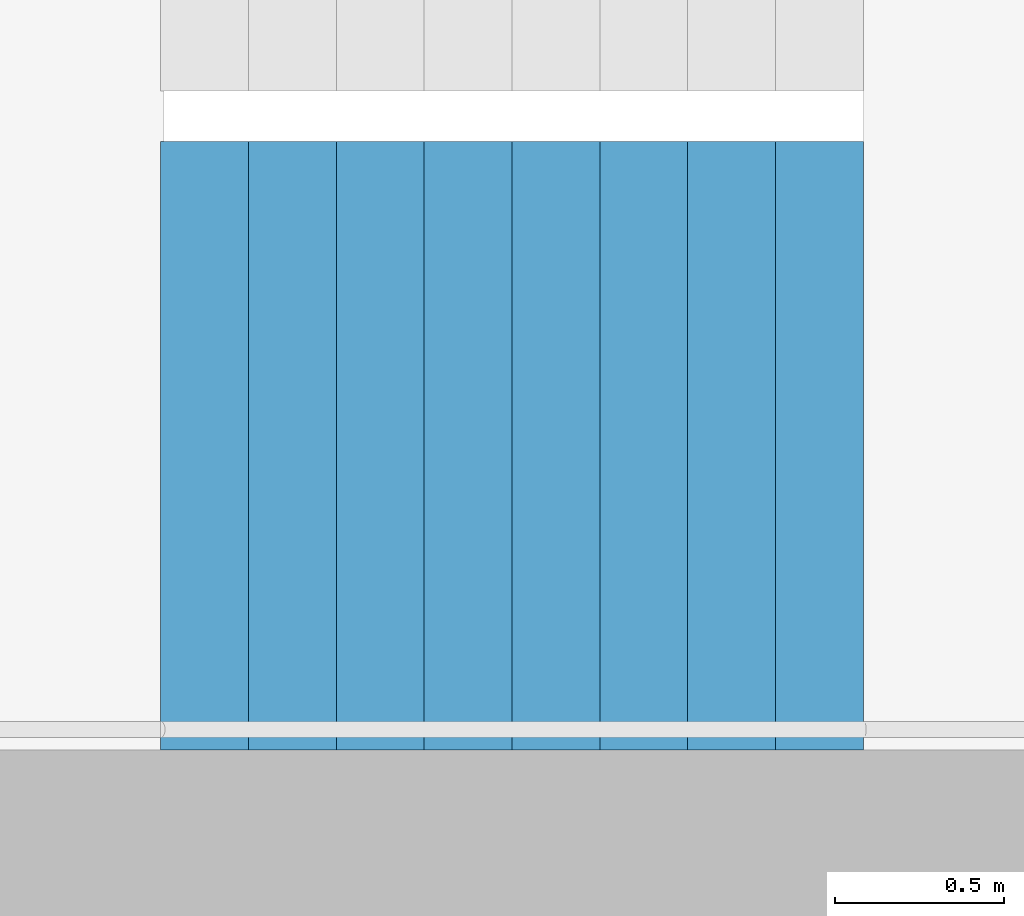
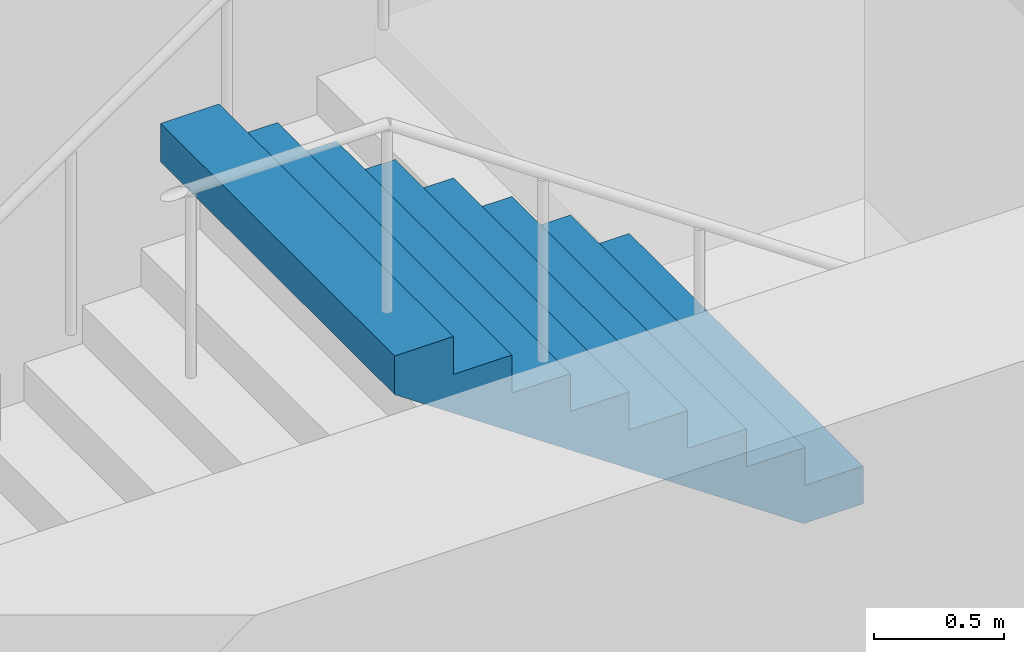
# One storey, part 23 of 27: 1 stair flight, 1 element without a shape of its own.
"""IFC4 building model written with IfcOpenShell, lengths in metres."""

import ifcopenshell
import ifcopenshell.guid

model = None  # the IFC model being written
_history = None  # IfcOwnerHistory: only IFC2X3 demands one
_inside = {}  # id of a spatial element -> (the spatial element, [elements in it])
_under = {}  # id of a project, library or spatial element -> (it, [spatial elements below it])
_declared = {}  # id of a project -> (the project, [libraries it declares])
_typed = {}  # id of a type object -> (the type object, [elements of that type])
_made_of = {}  # id of a material, layer set ... -> (it, [elements and type objects made of it])


def new_model(schema):
    """Start an empty IFC model of exactly this schema.

    Asked for "IFC4X3", IfcOpenShell would pick the latest addendum, in which some entities
    have other attributes; the version numbers below select the first issue.
    IFC2X3 requires an IfcOwnerHistory on every rooted entity: one is made here for all.
    """
    global model, _history
    if schema == "IFC4X3":
        model = ifcopenshell.file(schema_version=(4, 3, 0, 0))
    else:
        model = ifcopenshell.file(schema=schema)
    _inside.clear()
    _under.clear()
    _declared.clear()
    _typed.clear()
    _made_of.clear()
    _history = None
    if model.schema == "IFC2X3":
        org = make("IfcOrganization", Name="unknown")
        user = make(
            "IfcPersonAndOrganization",
            ThePerson=make("IfcPerson", FamilyName="unknown"),
            TheOrganization=org,
        )
        app = make(
            "IfcApplication",
            ApplicationDeveloper=org,
            Version="unknown",
            ApplicationFullName="unknown",
            ApplicationIdentifier="unknown",
        )
        _history = make(
            "IfcOwnerHistory",
            OwningUser=user,
            OwningApplication=app,
            ChangeAction="ADDED",
            CreationDate=0,
        )
    return model


def make(cls, **values):
    """One entity of the class cls with the attributes given. An attribute that is None is left unset."""
    return model.create_entity(
        cls, **{name: value for name, value in values.items() if value is not None}
    )


def rooted(cls, **values):
    """An entity with a GlobalId (a new one), such as an element, a storey or a relation."""
    return make(cls, GlobalId=ifcopenshell.guid.new(), OwnerHistory=_history, **values)


def si_unit(unit_type, name, prefix=None):
    """IfcSIUnit, for example si_unit("LENGTHUNIT", "METRE", prefix="MILLI")."""
    return make("IfcSIUnit", UnitType=unit_type, Prefix=prefix, Name=name)


def assignment(units):
    """IfcUnitAssignment: the units of a project."""
    return None if units is None else make("IfcUnitAssignment", Units=units)


def point(xyz):
    """IfcCartesianPoint."""
    return None if xyz is None else make("IfcCartesianPoint", Coordinates=xyz)


def direction(xyz):
    """IfcDirection."""
    return None if xyz is None else make("IfcDirection", DirectionRatios=xyz)


def frame(location, z_axis=None, x_axis=None):
    """IfcAxis2Placement3D, a coordinate frame: its origin and axes. An axis left out is left unset."""
    return make(
        "IfcAxis2Placement3D",
        Location=point(location),
        Axis=direction(z_axis),
        RefDirection=direction(x_axis),
    )


def origin():
    """The frame at (0, 0, 0) with its axes left unset."""
    return frame((0.0, 0.0, 0.0))


def place(relative_to, where):
    """IfcLocalPlacement: puts the frame where relative to a parent placement (None: the world)."""
    return make(
        "IfcLocalPlacement", PlacementRelTo=relative_to, RelativePlacement=where
    )


def context(
    kind, dimensions, precision=None, world=None, true_north=None, identifier=None
):
    """IfcGeometricRepresentationContext, for example the 3D "Model" context."""
    return make(
        "IfcGeometricRepresentationContext",
        ContextIdentifier=identifier,
        ContextType=kind,
        CoordinateSpaceDimension=dimensions,
        Precision=precision,
        WorldCoordinateSystem=world,
        TrueNorth=true_north,
    )


def subcontext(parent, identifier, kind, view, scale=None):
    """IfcGeometricRepresentationSubContext, for example "Body" below "Model"."""
    return make(
        "IfcGeometricRepresentationSubContext",
        ContextIdentifier=identifier,
        ContextType=kind,
        ParentContext=parent,
        TargetScale=scale,
        TargetView=view,
    )


def project(units=None, contexts=None):
    """IfcProject with its units and contexts."""
    return rooted(
        "IfcProject",
        Name="project",
        RepresentationContexts=contexts,
        UnitsInContext=assignment(units),
    )


def spatial(cls, under=None, at=None, **own):
    """A site, building, storey or space (cls), placed at a placement, below another one or the project."""
    s = rooted(cls, ObjectPlacement=at, **own)
    if under is not None:
        _under.setdefault(under.id(), (under, []))[1].append(s)
    return s


def point_list(points):
    """IfcCartesianPointList2D or 3D."""
    cls = (
        "IfcCartesianPointList2D" if len(points[0]) == 2 else "IfcCartesianPointList3D"
    )
    return make(cls, CoordList=points)


def triangles(points, corners, closed=None, point_numbers=None):
    """IfcTriangulatedFaceSet: each triangle names its three corners, points numbered from 1."""
    return make(
        "IfcTriangulatedFaceSet",
        Coordinates=point_list(points),
        Closed=closed,
        CoordIndex=corners,
        PnIndex=point_numbers,
    )


def shape(context_of_items, identifier, shape_type, items):
    """IfcShapeRepresentation: the items that make up one representation, for example the "Body"."""
    return make(
        "IfcShapeRepresentation",
        ContextOfItems=context_of_items,
        RepresentationIdentifier=identifier,
        RepresentationType=shape_type,
        Items=items,
    )


def material(Name=None, Category=None):
    """IfcMaterial."""
    return make("IfcMaterial", Name=Name, Category=Category)


def made_of(thing, what):
    """Note that an element or type object is made of a material, layer set ...; save() writes the relation."""
    if what is not None:
        _made_of.setdefault(what.id(), (what, []))[1].append(thing)
    return thing


def type_object(cls, material=None, **own):
    """A type object (cls), such as IfcWallType, which elements share."""
    return made_of(rooted(cls, **own), material)


def element(
    cls,
    number,
    at=None,
    inside=None,
    cuts=None,
    type_object=None,
    material=None,
    context=None,
    identifier="Body",
    shape_type=None,
    held_by="IfcProductDefinitionShape",
    body=None,
    shapes=None,
    **own,
):
    """One element of the class cls, such as IfcWall. Its Tag is "e" and its number.

    at: its placement. inside: the storey or other place that contains it. cuts: it is an
    opening in that element (IfcRelVoidsElement). A single representation is given by context,
    identifier, shape_type and body (its items); several are given by shapes. held_by: the class
    of the entity that holds the representations. save() writes the other relations.
    """
    e = rooted(cls, Tag="e%d" % number, ObjectPlacement=at, **own)
    if body is not None:
        shapes = [shape(context, identifier, shape_type, body)]
    if shapes is not None:
        e.Representation = make(held_by, Representations=shapes)
    if inside is not None:
        _inside.setdefault(inside.id(), (inside, []))[1].append(e)
    if cuts is not None:
        rooted(
            "IfcRelVoidsElement", RelatingBuildingElement=cuts, RelatedOpeningElement=e
        )
    if type_object is not None:
        _typed.setdefault(type_object.id(), (type_object, []))[1].append(e)
    return made_of(e, material)


def aggregate(whole, parts):
    """IfcRelAggregates: a whole, such as a stair, and the parts it consists of."""
    return rooted("IfcRelAggregates", RelatingObject=whole, RelatedObjects=parts)


def save(model, path):
    """Write the relations noted so far, then the file.

    IfcRelAggregates (storeys below a building ...), IfcRelContainedInSpatialStructure (elements
    in a storey), IfcRelDefinesByType, IfcRelAssociatesMaterial and IfcRelDeclares: one each for
    every whole, place, type object, material and project.
    """
    for whole, parts in _under.values():
        aggregate(whole, parts)
    for where, things in _inside.values():
        rooted(
            "IfcRelContainedInSpatialStructure",
            RelatedElements=things,
            RelatingStructure=where,
        )
    for kind, things in _typed.values():
        rooted("IfcRelDefinesByType", RelatedObjects=things, RelatingType=kind)
    for what, things in _made_of.values():
        rooted("IfcRelAssociatesMaterial", RelatedObjects=things, RelatingMaterial=what)
    for by, libraries in _declared.values():
        rooted("IfcRelDeclares", RelatingContext=by, RelatedDefinitions=libraries)
    model.write(path)


model = new_model("IFC4")

# Units and contexts
model_context = context("Model", 3, precision=1e-05, world=origin(), true_north=direction((0.0, 1.0)))
body_context = subcontext(model_context, "Body", "Model", "MODEL_VIEW")
ifc_project = project(units=[si_unit("LENGTHUNIT", "METRE"), si_unit("AREAUNIT", "SQUARE_METRE"), si_unit("VOLUMEUNIT", "CUBIC_METRE"), si_unit("PLANEANGLEUNIT", "RADIAN"), si_unit("MASSUNIT", "GRAM", prefix="KILO")], contexts=[model_context])

# Site, building, storey
site_placement = place(None, origin())
site = spatial("IfcSite", under=ifc_project, at=site_placement, CompositionType="ELEMENT")
building_placement = place(site_placement, origin())
building = spatial("IfcBuilding", under=site, at=building_placement, Name="Hakoniwa Tower and Hamabe Station Hall", CompositionType="ELEMENT")
storey_placement = place(building_placement, frame((0.0, 0.0, 239.0)))
storey = spatial("IfcBuildingStorey", under=building, at=storey_placement, Name="L67", CompositionType="ELEMENT", Elevation=239.0)

# Stair, stair flight
ifc_material_1 = material(Name="Concrete C40", Category="concrete")
stair_type = type_object("IfcStairType", Name="ESCAPE STAIR 1800", PredefinedType="HALF_TURN_STAIR", material=ifc_material_1)
stair_placement = place(storey_placement, origin())
stair = element("IfcStair", 1, at=stair_placement, inside=storey, type_object=stair_type, Name="Escape stair ST-4 L67", PredefinedType="HALF_TURN_STAIR")
ifc_material_2 = material(Name="Concrete C40", Category="concrete")
stair_flight_type = type_object("IfcStairFlightType", Name="STAIR FLIGHT 1800", PredefinedType="STRAIGHT", material=ifc_material_2)
stair_flight_placement = place(storey_placement, frame((25.47998046875, -6.60009765625, 1.60009765625), z_axis=(0.0, 0.0, 1.0), x_axis=(-1.0, 0.0, 0.0)))
stair_flight = element("IfcStairFlight", 2, at=stair_flight_placement, type_object=stair_flight_type, Name="ST-4 flight 2", NumberOfRisers=9, NumberOfTreads=8, PredefinedType="STRAIGHT", RiserHeight=0.177777778, TreadLength=0.26, context=body_context, shape_type="Tessellation", body=[
    triangles([(0.0, 0.89990234375, 0.0), (0.260009765625, 0.89990234375, 0.0), (0.265625, 0.89990234375, 0.0), (0.52001953125, 0.89990234375, 0.174072265625), (0.780029296875, 0.89990234375, 0.351806640625), (1.0400390625, 0.89990234375, 0.529541015625), (1.300048828125, 0.89990234375, 0.707275390625), (1.56005859375, 0.89990234375, 0.885009765625), (1.820068359375, 0.89990234375, 1.062744140625), (2.080078125, 0.89990234375, 1.24072265625), (2.080078125, 0.89990234375, 1.422119140625), (1.820068359375, 0.89990234375, 1.422119140625), (1.820068359375, 0.89990234375, 1.244384765625), (1.56005859375, 0.89990234375, 1.244384765625), (1.56005859375, 0.89990234375, 1.066650390625), (1.300048828125, 0.89990234375, 1.066650390625), (1.300048828125, 0.89990234375, 0.888916015625), (1.0400390625, 0.89990234375, 0.888916015625), (1.0400390625, 0.89990234375, 0.711181640625), (0.780029296875, 0.89990234375, 0.711181640625), (0.780029296875, 0.89990234375, 0.533447265625), (0.52001953125, 0.89990234375, 0.533447265625), (0.52001953125, 0.89990234375, 0.35546875), (0.265625, 0.89990234375, 0.35546875), (0.260009765625, 0.89990234375, 0.35546875), (0.260009765625, 0.89990234375, 0.177734375), (0.0, 0.89990234375, 0.177734375), (0.0, 0.06005859375, 0.0), (0.260009765625, 0.06005859375, 0.0), (0.265625, 0.06005859375, 0.0), (0.52001953125, 0.06005859375, 0.174072265625), (0.780029296875, 0.06005859375, 0.351806640625), (1.0400390625, 0.06005859375, 0.529541015625), (1.300048828125, 0.06005859375, 0.707275390625), (1.56005859375, 0.06005859375, 0.885009765625), (1.820068359375, 0.06005859375, 1.062744140625), (2.080078125, 0.06005859375, 1.24072265625), (2.080078125, 0.06005859375, 1.422119140625), (1.820068359375, 0.06005859375, 1.422119140625), (1.820068359375, 0.06005859375, 1.244384765625), (1.56005859375, 0.06005859375, 1.244384765625), (1.56005859375, 0.06005859375, 1.066650390625), (1.300048828125, 0.06005859375, 1.066650390625), (1.300048828125, 0.06005859375, 0.888916015625), (1.0400390625, 0.06005859375, 0.888916015625), (1.0400390625, 0.06005859375, 0.711181640625), (0.780029296875, 0.06005859375, 0.711181640625), (0.780029296875, 0.06005859375, 0.533447265625), (0.52001953125, 0.06005859375, 0.533447265625), (0.52001953125, 0.06005859375, 0.35546875), (0.265625, 0.06005859375, 0.35546875), (0.260009765625, 0.06005859375, 0.35546875), (0.260009765625, 0.06005859375, 0.177734375), (0.0, 0.06005859375, 0.177734375), (0.0, 0.04296875, 0.0), (0.260009765625, 0.04296875, 0.0), (0.265625, 0.04296875, 0.0), (0.52001953125, 0.04296875, 0.174072265625), (0.780029296875, 0.04296875, 0.351806640625), (1.0400390625, 0.04296875, 0.529541015625), (1.300048828125, 0.04296875, 0.707275390625), (1.56005859375, 0.04296875, 0.885009765625), (1.820068359375, 0.04296875, 1.062744140625), (2.080078125, 0.04296875, 1.24072265625), (2.080078125, 0.04296875, 1.422119140625), (1.820068359375, 0.04296875, 1.422119140625), (1.820068359375, 0.04296875, 1.244384765625), (1.56005859375, 0.04296875, 1.244384765625), (1.56005859375, 0.04296875, 1.066650390625), (1.300048828125, 0.04296875, 1.066650390625), (1.300048828125, 0.04296875, 0.888916015625), (1.0400390625, 0.04296875, 0.888916015625), (1.0400390625, 0.04296875, 0.711181640625), (0.780029296875, 0.04296875, 0.711181640625), (0.780029296875, 0.04296875, 0.533447265625), (0.52001953125, 0.04296875, 0.533447265625), (0.52001953125, 0.04296875, 0.35546875), (0.265625, 0.04296875, 0.35546875), (0.260009765625, 0.04296875, 0.35546875), (0.260009765625, 0.04296875, 0.177734375), (0.0, 0.04296875, 0.177734375), (0.0, 0.025634765625, 0.0), (0.260009765625, 0.025634765625, 0.0), (0.265625, 0.025634765625, 0.0), (0.52001953125, 0.025634765625, 0.174072265625), (0.780029296875, 0.025634765625, 0.351806640625), (1.0400390625, 0.025634765625, 0.529541015625), (1.300048828125, 0.025634765625, 0.707275390625), (1.56005859375, 0.025634765625, 0.885009765625), (1.820068359375, 0.025634765625, 1.062744140625), (2.080078125, 0.025634765625, 1.24072265625), (2.080078125, 0.025634765625, 1.422119140625), (1.820068359375, 0.025634765625, 1.422119140625), (1.820068359375, 0.025634765625, 1.244384765625), (1.56005859375, 0.025634765625, 1.244384765625), (1.56005859375, 0.025634765625, 1.066650390625), (1.300048828125, 0.025634765625, 1.066650390625), (1.300048828125, 0.025634765625, 0.888916015625), (1.0400390625, 0.025634765625, 0.888916015625), (1.0400390625, 0.025634765625, 0.711181640625), (0.780029296875, 0.025634765625, 0.711181640625), (0.780029296875, 0.025634765625, 0.533447265625), (0.52001953125, 0.025634765625, 0.533447265625), (0.52001953125, 0.025634765625, 0.35546875), (0.265625, 0.025634765625, 0.35546875), (0.260009765625, 0.025634765625, 0.35546875), (0.260009765625, 0.025634765625, 0.177734375), (0.0, 0.025634765625, 0.177734375), (0.0, 0.008544921875, 0.0), (0.260009765625, 0.008544921875, 0.0), (0.265625, 0.008544921875, 0.0), (0.52001953125, 0.008544921875, 0.174072265625), (0.780029296875, 0.008544921875, 0.351806640625), (1.0400390625, 0.008544921875, 0.529541015625), (1.300048828125, 0.008544921875, 0.707275390625), (1.56005859375, 0.008544921875, 0.885009765625), (1.820068359375, 0.008544921875, 1.062744140625), (2.080078125, 0.008544921875, 1.24072265625), (2.080078125, 0.008544921875, 1.422119140625), (1.820068359375, 0.008544921875, 1.422119140625), (1.820068359375, 0.008544921875, 1.244384765625), (1.56005859375, 0.008544921875, 1.244384765625), (1.56005859375, 0.008544921875, 1.066650390625), (1.300048828125, 0.008544921875, 1.066650390625), (1.300048828125, 0.008544921875, 0.888916015625), (1.0400390625, 0.008544921875, 0.888916015625), (1.0400390625, 0.008544921875, 0.711181640625), (0.780029296875, 0.008544921875, 0.711181640625), (0.780029296875, 0.008544921875, 0.533447265625), (0.52001953125, 0.008544921875, 0.533447265625), (0.52001953125, 0.008544921875, 0.35546875), (0.265625, 0.008544921875, 0.35546875), (0.260009765625, 0.008544921875, 0.35546875), (0.260009765625, 0.008544921875, 0.177734375), (0.0, 0.008544921875, 0.177734375), (0.0, -0.008544921875, 0.0), (0.260009765625, -0.008544921875, 0.0), (0.265625, -0.008544921875, 0.0), (0.52001953125, -0.008544921875, 0.174072265625), (0.780029296875, -0.008544921875, 0.351806640625), (1.0400390625, -0.008544921875, 0.529541015625), (1.300048828125, -0.008544921875, 0.707275390625), (1.56005859375, -0.008544921875, 0.885009765625), (1.820068359375, -0.008544921875, 1.062744140625), (2.080078125, -0.008544921875, 1.24072265625), (2.080078125, -0.008544921875, 1.422119140625), (1.820068359375, -0.008544921875, 1.422119140625), (1.820068359375, -0.008544921875, 1.244384765625), (1.56005859375, -0.008544921875, 1.244384765625), (1.56005859375, -0.008544921875, 1.066650390625), (1.300048828125, -0.008544921875, 1.066650390625), (1.300048828125, -0.008544921875, 0.888916015625), (1.0400390625, -0.008544921875, 0.888916015625), (1.0400390625, -0.008544921875, 0.711181640625), (0.780029296875, -0.008544921875, 0.711181640625), (0.780029296875, -0.008544921875, 0.533447265625), (0.52001953125, -0.008544921875, 0.533447265625), (0.52001953125, -0.008544921875, 0.35546875), (0.265625, -0.008544921875, 0.35546875), (0.260009765625, -0.008544921875, 0.35546875), (0.260009765625, -0.008544921875, 0.177734375), (0.0, -0.008544921875, 0.177734375), (0.0, -0.025634765625, 0.0), (0.260009765625, -0.025634765625, 0.0), (0.265625, -0.025634765625, 0.0), (0.52001953125, -0.025634765625, 0.174072265625), (0.780029296875, -0.025634765625, 0.351806640625), (1.0400390625, -0.025634765625, 0.529541015625), (1.300048828125, -0.025634765625, 0.707275390625), (1.56005859375, -0.025634765625, 0.885009765625), (1.820068359375, -0.025634765625, 1.062744140625), (2.080078125, -0.025634765625, 1.24072265625), (2.080078125, -0.025634765625, 1.422119140625), (1.820068359375, -0.025634765625, 1.422119140625), (1.820068359375, -0.025634765625, 1.244384765625), (1.56005859375, -0.025634765625, 1.244384765625), (1.56005859375, -0.025634765625, 1.066650390625), (1.300048828125, -0.025634765625, 1.066650390625), (1.300048828125, -0.025634765625, 0.888916015625), (1.0400390625, -0.025634765625, 0.888916015625), (1.0400390625, -0.025634765625, 0.711181640625), (0.780029296875, -0.025634765625, 0.711181640625), (0.780029296875, -0.025634765625, 0.533447265625), (0.52001953125, -0.025634765625, 0.533447265625), (0.52001953125, -0.025634765625, 0.35546875), (0.265625, -0.025634765625, 0.35546875), (0.260009765625, -0.025634765625, 0.35546875), (0.260009765625, -0.025634765625, 0.177734375), (0.0, -0.025634765625, 0.177734375), (0.0, -0.04296875, 0.0), (0.260009765625, -0.04296875, 0.0), (0.265625, -0.04296875, 0.0), (0.52001953125, -0.04296875, 0.174072265625), (0.780029296875, -0.04296875, 0.351806640625), (1.0400390625, -0.04296875, 0.529541015625), (1.300048828125, -0.04296875, 0.707275390625), (1.56005859375, -0.04296875, 0.885009765625), (1.820068359375, -0.04296875, 1.062744140625), (2.080078125, -0.04296875, 1.24072265625), (2.080078125, -0.04296875, 1.422119140625), (1.820068359375, -0.04296875, 1.422119140625), (1.820068359375, -0.04296875, 1.244384765625), (1.56005859375, -0.04296875, 1.244384765625), (1.56005859375, -0.04296875, 1.066650390625), (1.300048828125, -0.04296875, 1.066650390625), (1.300048828125, -0.04296875, 0.888916015625), (1.0400390625, -0.04296875, 0.888916015625), (1.0400390625, -0.04296875, 0.711181640625), (0.780029296875, -0.04296875, 0.711181640625), (0.780029296875, -0.04296875, 0.533447265625), (0.52001953125, -0.04296875, 0.533447265625), (0.52001953125, -0.04296875, 0.35546875), (0.265625, -0.04296875, 0.35546875), (0.260009765625, -0.04296875, 0.35546875), (0.260009765625, -0.04296875, 0.177734375), (0.0, -0.04296875, 0.177734375), (0.0, -0.06005859375, 0.0), (0.260009765625, -0.06005859375, 0.0), (0.265625, -0.06005859375, 0.0), (0.52001953125, -0.06005859375, 0.174072265625), (0.780029296875, -0.06005859375, 0.351806640625), (1.0400390625, -0.06005859375, 0.529541015625), (1.300048828125, -0.06005859375, 0.707275390625), (1.56005859375, -0.06005859375, 0.885009765625), (1.820068359375, -0.06005859375, 1.062744140625), (2.080078125, -0.06005859375, 1.24072265625), (2.080078125, -0.06005859375, 1.422119140625), (1.820068359375, -0.06005859375, 1.422119140625), (1.820068359375, -0.06005859375, 1.244384765625), (1.56005859375, -0.06005859375, 1.244384765625), (1.56005859375, -0.06005859375, 1.066650390625), (1.300048828125, -0.06005859375, 1.066650390625), (1.300048828125, -0.06005859375, 0.888916015625), (1.0400390625, -0.06005859375, 0.888916015625), (1.0400390625, -0.06005859375, 0.711181640625), (0.780029296875, -0.06005859375, 0.711181640625), (0.780029296875, -0.06005859375, 0.533447265625), (0.52001953125, -0.06005859375, 0.533447265625), (0.52001953125, -0.06005859375, 0.35546875), (0.265625, -0.06005859375, 0.35546875), (0.260009765625, -0.06005859375, 0.35546875), (0.260009765625, -0.06005859375, 0.177734375), (0.0, -0.06005859375, 0.177734375), (0.0, -0.89990234375, 0.0), (0.260009765625, -0.89990234375, 0.0), (0.265625, -0.89990234375, 0.0), (0.52001953125, -0.89990234375, 0.174072265625), (0.780029296875, -0.89990234375, 0.351806640625), (1.0400390625, -0.89990234375, 0.529541015625), (1.300048828125, -0.89990234375, 0.707275390625), (1.56005859375, -0.89990234375, 0.885009765625), (1.820068359375, -0.89990234375, 1.062744140625), (2.080078125, -0.89990234375, 1.24072265625), (2.080078125, -0.89990234375, 1.422119140625), (1.820068359375, -0.89990234375, 1.422119140625), (1.820068359375, -0.89990234375, 1.244384765625), (1.56005859375, -0.89990234375, 1.244384765625), (1.56005859375, -0.89990234375, 1.066650390625), (1.300048828125, -0.89990234375, 1.066650390625), (1.300048828125, -0.89990234375, 0.888916015625), (1.0400390625, -0.89990234375, 0.888916015625), (1.0400390625, -0.89990234375, 0.711181640625), (0.780029296875, -0.89990234375, 0.711181640625), (0.780029296875, -0.89990234375, 0.533447265625), (0.52001953125, -0.89990234375, 0.533447265625), (0.52001953125, -0.89990234375, 0.35546875), (0.265625, -0.89990234375, 0.35546875), (0.260009765625, -0.89990234375, 0.35546875), (0.260009765625, -0.89990234375, 0.177734375), (0.0, -0.89990234375, 0.177734375)], [[2, 27, 26], [245, 269, 270], [2, 1, 27], [245, 270, 244], [3, 25, 24], [246, 267, 268], [3, 26, 25], [246, 268, 269], [3, 2, 26], [246, 269, 245], [4, 24, 23], [247, 266, 267], [4, 3, 24], [247, 267, 246], [5, 22, 21], [248, 264, 265], [5, 23, 22], [248, 265, 266], [5, 4, 23], [248, 266, 247], [6, 20, 19], [249, 262, 263], [6, 21, 20], [249, 263, 264], [6, 5, 21], [249, 264, 248], [7, 18, 17], [250, 260, 261], [7, 19, 18], [250, 261, 262], [7, 6, 19], [250, 262, 249], [8, 16, 15], [251, 258, 259], [8, 17, 16], [251, 259, 260], [8, 7, 17], [251, 260, 250], [9, 14, 13], [252, 256, 257], [9, 15, 14], [252, 257, 258], [9, 8, 15], [252, 258, 251], [10, 12, 11], [253, 254, 255], [10, 13, 12], [253, 255, 256], [10, 9, 13], [253, 256, 252], [1, 2, 29], [1, 29, 28], [28, 29, 56], [28, 56, 55], [55, 56, 83], [55, 83, 82], [82, 83, 110], [82, 110, 109], [109, 110, 137], [109, 137, 136], [136, 137, 164], [136, 164, 163], [163, 164, 191], [163, 191, 190], [190, 191, 218], [190, 218, 217], [217, 218, 245], [217, 245, 244], [2, 3, 30], [2, 30, 29], [29, 30, 57], [29, 57, 56], [56, 57, 84], [56, 84, 83], [83, 84, 111], [83, 111, 110], [110, 111, 138], [110, 138, 137], [137, 138, 165], [137, 165, 164], [164, 165, 192], [164, 192, 191], [191, 192, 219], [191, 219, 218], [218, 219, 246], [218, 246, 245], [3, 4, 31], [3, 31, 30], [30, 31, 58], [30, 58, 57], [57, 58, 85], [57, 85, 84], [84, 85, 112], [84, 112, 111], [111, 112, 139], [111, 139, 138], [138, 139, 166], [138, 166, 165], [165, 166, 193], [165, 193, 192], [192, 193, 220], [192, 220, 219], [219, 220, 247], [219, 247, 246], [4, 5, 32], [4, 32, 31], [31, 32, 59], [31, 59, 58], [58, 59, 86], [58, 86, 85], [85, 86, 113], [85, 113, 112], [112, 113, 140], [112, 140, 139], [139, 140, 167], [139, 167, 166], [166, 167, 194], [166, 194, 193], [193, 194, 221], [193, 221, 220], [220, 221, 248], [220, 248, 247], [5, 6, 33], [5, 33, 32], [32, 33, 60], [32, 60, 59], [59, 60, 87], [59, 87, 86], [86, 87, 114], [86, 114, 113], [113, 114, 141], [113, 141, 140], [140, 141, 168], [140, 168, 167], [167, 168, 195], [167, 195, 194], [194, 195, 222], [194, 222, 221], [221, 222, 249], [221, 249, 248], [6, 7, 34], [6, 34, 33], [33, 34, 61], [33, 61, 60], [60, 61, 88], [60, 88, 87], [87, 88, 115], [87, 115, 114], [114, 115, 142], [114, 142, 141], [141, 142, 169], [141, 169, 168], [168, 169, 196], [168, 196, 195], [195, 196, 223], [195, 223, 222], [222, 223, 250], [222, 250, 249], [7, 8, 35], [7, 35, 34], [34, 35, 62], [34, 62, 61], [61, 62, 89], [61, 89, 88], [88, 89, 116], [88, 116, 115], [115, 116, 143], [115, 143, 142], [142, 143, 170], [142, 170, 169], [169, 170, 197], [169, 197, 196], [196, 197, 224], [196, 224, 223], [223, 224, 251], [223, 251, 250], [8, 9, 36], [8, 36, 35], [35, 36, 63], [35, 63, 62], [62, 63, 90], [62, 90, 89], [89, 90, 117], [89, 117, 116], [116, 117, 144], [116, 144, 143], [143, 144, 171], [143, 171, 170], [170, 171, 198], [170, 198, 197], [197, 198, 225], [197, 225, 224], [224, 225, 252], [224, 252, 251], [9, 10, 37], [9, 37, 36], [36, 37, 64], [36, 64, 63], [63, 64, 91], [63, 91, 90], [90, 91, 118], [90, 118, 117], [117, 118, 145], [117, 145, 144], [144, 145, 172], [144, 172, 171], [171, 172, 199], [171, 199, 198], [198, 199, 226], [198, 226, 225], [225, 226, 253], [225, 253, 252], [10, 11, 38], [10, 38, 37], [37, 38, 65], [37, 65, 64], [64, 65, 92], [64, 92, 91], [91, 92, 119], [91, 119, 118], [118, 119, 146], [118, 146, 145], [145, 146, 173], [145, 173, 172], [172, 173, 200], [172, 200, 199], [199, 200, 227], [199, 227, 226], [226, 227, 254], [226, 254, 253], [11, 12, 39], [11, 39, 38], [38, 39, 66], [38, 66, 65], [65, 66, 93], [65, 93, 92], [92, 93, 120], [92, 120, 119], [119, 120, 147], [119, 147, 146], [146, 147, 174], [146, 174, 173], [173, 174, 201], [173, 201, 200], [200, 201, 228], [200, 228, 227], [227, 228, 255], [227, 255, 254], [12, 13, 40], [12, 40, 39], [39, 40, 67], [39, 67, 66], [66, 67, 94], [66, 94, 93], [93, 94, 121], [93, 121, 120], [120, 121, 148], [120, 148, 147], [147, 148, 175], [147, 175, 174], [174, 175, 202], [174, 202, 201], [201, 202, 229], [201, 229, 228], [228, 229, 256], [228, 256, 255], [13, 14, 41], [13, 41, 40], [40, 41, 68], [40, 68, 67], [67, 68, 95], [67, 95, 94], [94, 95, 122], [94, 122, 121], [121, 122, 149], [121, 149, 148], [148, 149, 176], [148, 176, 175], [175, 176, 203], [175, 203, 202], [202, 203, 230], [202, 230, 229], [229, 230, 257], [229, 257, 256], [14, 15, 42], [14, 42, 41], [41, 42, 69], [41, 69, 68], [68, 69, 96], [68, 96, 95], [95, 96, 123], [95, 123, 122], [122, 123, 150], [122, 150, 149], [149, 150, 177], [149, 177, 176], [176, 177, 204], [176, 204, 203], [203, 204, 231], [203, 231, 230], [230, 231, 258], [230, 258, 257], [15, 16, 43], [15, 43, 42], [42, 43, 70], [42, 70, 69], [69, 70, 97], [69, 97, 96], [96, 97, 124], [96, 124, 123], [123, 124, 151], [123, 151, 150], [150, 151, 178], [150, 178, 177], [177, 178, 205], [177, 205, 204], [204, 205, 232], [204, 232, 231], [231, 232, 259], [231, 259, 258], [16, 17, 44], [16, 44, 43], [43, 44, 71], [43, 71, 70], [70, 71, 98], [70, 98, 97], [97, 98, 125], [97, 125, 124], [124, 125, 152], [124, 152, 151], [151, 152, 179], [151, 179, 178], [178, 179, 206], [178, 206, 205], [205, 206, 233], [205, 233, 232], [232, 233, 260], [232, 260, 259], [17, 18, 45], [17, 45, 44], [44, 45, 72], [44, 72, 71], [71, 72, 99], [71, 99, 98], [98, 99, 126], [98, 126, 125], [125, 126, 153], [125, 153, 152], [152, 153, 180], [152, 180, 179], [179, 180, 207], [179, 207, 206], [206, 207, 234], [206, 234, 233], [233, 234, 261], [233, 261, 260], [18, 19, 46], [18, 46, 45], [45, 46, 73], [45, 73, 72], [72, 73, 100], [72, 100, 99], [99, 100, 127], [99, 127, 126], [126, 127, 154], [126, 154, 153], [153, 154, 181], [153, 181, 180], [180, 181, 208], [180, 208, 207], [207, 208, 235], [207, 235, 234], [234, 235, 262], [234, 262, 261], [19, 20, 47], [19, 47, 46], [46, 47, 74], [46, 74, 73], [73, 74, 101], [73, 101, 100], [100, 101, 128], [100, 128, 127], [127, 128, 155], [127, 155, 154], [154, 155, 182], [154, 182, 181], [181, 182, 209], [181, 209, 208], [208, 209, 236], [208, 236, 235], [235, 236, 263], [235, 263, 262], [20, 21, 48], [20, 48, 47], [47, 48, 75], [47, 75, 74], [74, 75, 102], [74, 102, 101], [101, 102, 129], [101, 129, 128], [128, 129, 156], [128, 156, 155], [155, 156, 183], [155, 183, 182], [182, 183, 210], [182, 210, 209], [209, 210, 237], [209, 237, 236], [236, 237, 264], [236, 264, 263], [21, 22, 49], [21, 49, 48], [48, 49, 76], [48, 76, 75], [75, 76, 103], [75, 103, 102], [102, 103, 130], [102, 130, 129], [129, 130, 157], [129, 157, 156], [156, 157, 184], [156, 184, 183], [183, 184, 211], [183, 211, 210], [210, 211, 238], [210, 238, 237], [237, 238, 265], [237, 265, 264], [22, 23, 50], [22, 50, 49], [49, 50, 77], [49, 77, 76], [76, 77, 104], [76, 104, 103], [103, 104, 131], [103, 131, 130], [130, 131, 158], [130, 158, 157], [157, 158, 185], [157, 185, 184], [184, 185, 212], [184, 212, 211], [211, 212, 239], [211, 239, 238], [238, 239, 266], [238, 266, 265], [23, 24, 51], [23, 51, 50], [50, 51, 78], [50, 78, 77], [77, 78, 105], [77, 105, 104], [104, 105, 132], [104, 132, 131], [131, 132, 159], [131, 159, 158], [158, 159, 186], [158, 186, 185], [185, 186, 213], [185, 213, 212], [212, 213, 240], [212, 240, 239], [239, 240, 267], [239, 267, 266], [24, 25, 52], [24, 52, 51], [51, 52, 79], [51, 79, 78], [78, 79, 106], [78, 106, 105], [105, 106, 133], [105, 133, 132], [132, 133, 160], [132, 160, 159], [159, 160, 187], [159, 187, 186], [186, 187, 214], [186, 214, 213], [213, 214, 241], [213, 241, 240], [240, 241, 268], [240, 268, 267], [25, 26, 53], [25, 53, 52], [52, 53, 80], [52, 80, 79], [79, 80, 107], [79, 107, 106], [106, 107, 134], [106, 134, 133], [133, 134, 161], [133, 161, 160], [160, 161, 188], [160, 188, 187], [187, 188, 215], [187, 215, 214], [214, 215, 242], [214, 242, 241], [241, 242, 269], [241, 269, 268], [26, 27, 54], [26, 54, 53], [53, 54, 81], [53, 81, 80], [80, 81, 108], [80, 108, 107], [107, 108, 135], [107, 135, 134], [134, 135, 162], [134, 162, 161], [161, 162, 189], [161, 189, 188], [188, 189, 216], [188, 216, 215], [215, 216, 243], [215, 243, 242], [242, 243, 270], [242, 270, 269], [27, 1, 28], [27, 28, 54], [54, 28, 55], [54, 55, 81], [81, 55, 82], [81, 82, 108], [108, 82, 109], [108, 109, 135], [135, 109, 136], [135, 136, 162], [162, 136, 163], [162, 163, 189], [189, 163, 190], [189, 190, 216], [216, 190, 217], [216, 217, 243], [243, 217, 244], [243, 244, 270]], closed=True),
])
aggregate(stair, [stair_flight])

save(model, "model.ifc")
